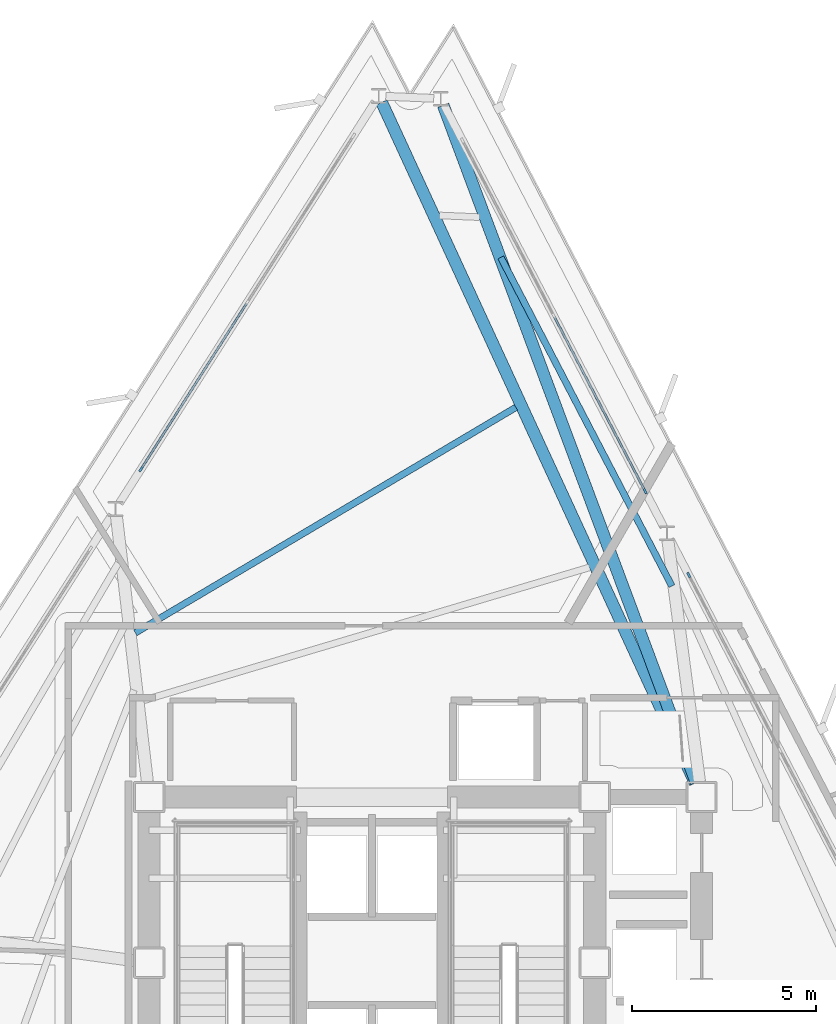
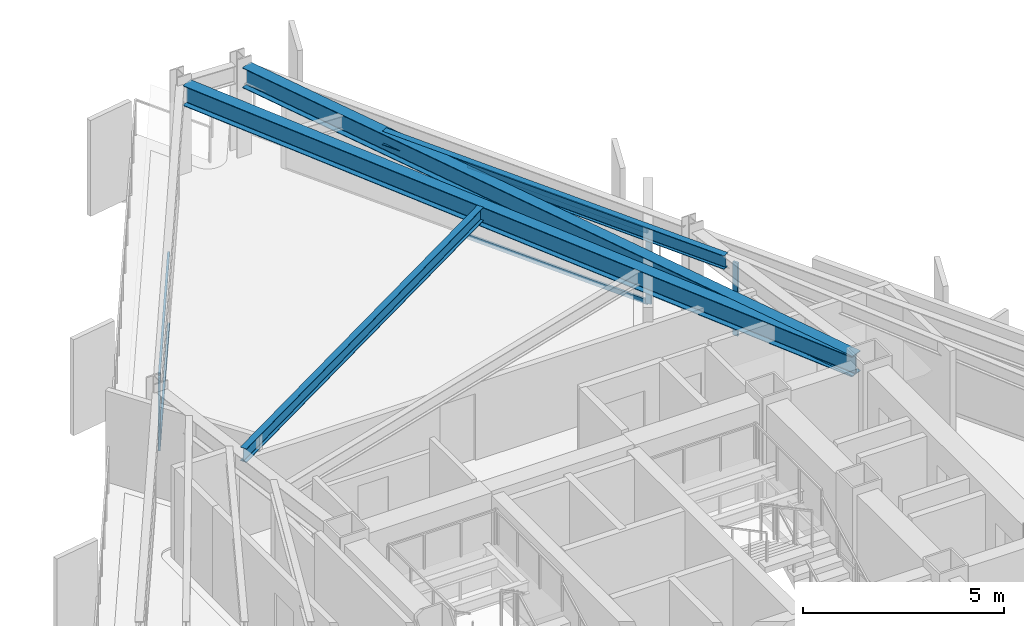
# One storey, part 4 of 12: 7 members, 4 beams, 3 elements without a shape of their own.
"""IFC4 building model written with IfcOpenShell, lengths in metres."""

from ifc_helpers import new_model, si_unit, direction, frame, origin, origin_2d, place, context, subcontext, project, spatial, rectangle, i_section, extrude, material, layer, layer_set, material_profile, profile_set, type_object, element, aggregate, save


model = new_model("IFC4")

# Units and contexts
model_context = context("Model", 3, precision=1e-05, world=origin(), true_north=direction((0.0, 1.0)))
body_context = subcontext(model_context, "Body", "Model", "MODEL_VIEW")
ifc_project = project(units=[si_unit("LENGTHUNIT", "METRE"), si_unit("AREAUNIT", "SQUARE_METRE"), si_unit("VOLUMEUNIT", "CUBIC_METRE"), si_unit("PLANEANGLEUNIT", "RADIAN"), si_unit("MASSUNIT", "GRAM", prefix="KILO")], contexts=[model_context])

# Site, building, storey
site_placement = place(None, origin())
site = spatial("IfcSite", under=ifc_project, at=site_placement, CompositionType="ELEMENT")
building_placement = place(site_placement, origin())
building = spatial("IfcBuilding", under=site, at=building_placement, Name="Rocaltana Carrier Exchange", CompositionType="ELEMENT")
storey_placement = place(building_placement, frame((0.0, 0.0, 138.080078125)))
storey = spatial("IfcBuildingStorey", under=building, at=storey_placement, Name="L43", CompositionType="ELEMENT", Elevation=138.080078125)

# Curtain wall, member
ifc_material_1 = material(Name="Aluminium 6063-T6", Category="aluminium")
ifc_layer = layer(ifc_material_1, 0.14990234375)
ifc_layer_set = layer_set([ifc_layer], Name="Aluminium 6063-T6")
curtain_wall_type = type_object("IfcCurtainWallType", Name="Mid-Tower Unitised Curtain Wall CW-03", PredefinedType="NOTDEFINED", material=ifc_layer_set)
curtain_wall_1_placement = place(storey_placement, origin())
curtain_wall_1 = element("IfcCurtainWall", 1, at=curtain_wall_1_placement, inside=storey, type_object=curtain_wall_type, Name="L43 CW-03 Run CW-L43-F1S2", PredefinedType="NOTDEFINED")
ifc_material_2 = material(Name="Aluminium 6063-T6", Category="aluminium")
ifc_material_profile_1 = material_profile(ifc_material_2, rectangle(XDim=0.06005859375, YDim=0.14990234375, at=origin_2d()), Name="AL-60X150")
ifc_profile_set_1 = profile_set([ifc_material_profile_1], Name="Aluminium 6063-T6")
member_type_1 = type_object("IfcMemberType", Name="CW-03 Mullion AL-60X150", PredefinedType="MULLION", material=ifc_profile_set_1)
member_1_placement = place(storey_placement, frame((8.60009765625, 10.531005859375, 0.0), z_axis=(0.0, 0.0, 1.0), x_axis=(-0.887011747812, -0.461746856235, 0.0)))
member_1 = element("IfcMember", 2, at=member_1_placement, type_object=member_type_1, Name="CW-03 mullion 3", PredefinedType="MULLION", context=body_context, shape_type="SweptSolid", body=[
    extrude(rectangle(XDim=0.06005859375, YDim=0.14990234375, at=origin_2d()), origin(), (0.0, 0.0, 1.0), 2.218017578125),
])
aggregate(curtain_wall_1, [member_1])

curtain_wall_2_placement = place(storey_placement, origin())
curtain_wall_2 = element("IfcCurtainWall", 3, at=curtain_wall_2_placement, inside=storey, type_object=curtain_wall_type, Name="L43 CW-03 Run CW-L43-F1S3", PredefinedType="NOTDEFINED")
member_2_placement = place(storey_placement, frame((7.41796875, 12.8017578125, 0.0), z_axis=(0.0, 0.0, 1.0), x_axis=(-0.887007955385, -0.461754141383, 0.0)))
member_2 = element("IfcMember", 4, at=member_2_placement, type_object=member_type_1, Name="CW-03 mullion 1", PredefinedType="MULLION", context=body_context, shape_type="SweptSolid", body=[
    extrude(rectangle(XDim=0.06005859375, YDim=0.14990234375, at=origin_2d()), origin(), (0.0, 0.0, 1.0), 2.218017578125),
])

curtain_wall_3_placement = place(storey_placement, origin())
curtain_wall_3 = element("IfcCurtainWall", 5, at=curtain_wall_3_placement, inside=storey, type_object=curtain_wall_type, Name="L43 CW-03 Run CW-L43-F2S1", PredefinedType="NOTDEFINED")
member_3_placement = place(storey_placement, frame((-6.27392578125, 13.3994140625, 0.0), z_axis=(0.0, 0.0, 1.0), x_axis=(0.843390685726, -0.537300801443, 0.0)))
member_3 = element("IfcMember", 6, at=member_3_placement, type_object=member_type_1, Name="CW-03 mullion 3", PredefinedType="MULLION", context=body_context, shape_type="SweptSolid", body=[
    extrude(rectangle(XDim=0.06005859375, YDim=0.14990234375, at=origin_2d()), origin(), (0.0, 0.0, 1.0), 2.218017578125),
])

# Member
ifc_material_3 = material(Name="Aluminium 6063-T6", Category="aluminium")
ifc_material_profile_2 = material_profile(ifc_material_3, rectangle(XDim=0.06005859375, YDim=0.14990234375, at=origin_2d()), Name="AL-60X150")
ifc_profile_set_2 = profile_set([ifc_material_profile_2], Name="Aluminium 6063-T6")
member_type_2 = type_object("IfcMemberType", Name="CW-03 Transom AL-60X150", PredefinedType="USERDEFINED", material=ifc_profile_set_2)
member_4_placement = place(storey_placement, frame((7.404052734375, 12.828369140625, 0.030029296875), z_axis=(-0.461756588365, 0.887006681543, 0.0), x_axis=(-0.887006681543, -0.461756588365, 0.0)))
member_4 = element("IfcMember", 7, at=member_4_placement, type_object=member_type_2, Name="CW-03 transom 1.1", ObjectType="TRANSOM", PredefinedType="USERDEFINED", context=body_context, shape_type="SweptSolid", body=[
    extrude(rectangle(XDim=0.06005859375, YDim=0.14990234375, at=origin_2d()), origin(), (0.0, 0.0, 1.0), 5.31005859375),
])

member_5_placement = place(storey_placement, frame((7.404052734375, 12.828369140625, 2.18798828125), z_axis=(-0.461756588365, 0.887006681543, 0.0), x_axis=(-0.887006681543, -0.461756588365, 0.0)))
member_5 = element("IfcMember", 8, at=member_5_placement, type_object=member_type_2, Name="CW-03 transom 1.2", ObjectType="TRANSOM", PredefinedType="USERDEFINED", context=body_context, shape_type="SweptSolid", body=[
    extrude(rectangle(XDim=0.06005859375, YDim=0.14990234375, at=origin_2d()), origin(), (0.0, 0.0, 1.0), 5.31005859375),
])

aggregate(curtain_wall_2, [member_2, member_4, member_5])

member_6_placement = place(storey_placement, frame((-3.40478515625, 17.903076171875, 0.030029296875), z_axis=(-0.537306810176, -0.843386857698, 0.0), x_axis=(0.843386857698, -0.537306810176, 0.0)))
member_6 = element("IfcMember", 9, at=member_6_placement, type_object=member_type_2, Name="CW-03 transom 2.1", ObjectType="TRANSOM", PredefinedType="USERDEFINED", context=body_context, shape_type="SweptSolid", body=[
    extrude(rectangle(XDim=0.06005859375, YDim=0.14990234375, at=origin_2d()), origin(), (0.0, 0.0, 1.0), 5.309814453125),
])

member_7_placement = place(storey_placement, frame((-3.40478515625, 17.903076171875, 2.18798828125), z_axis=(-0.537306810176, -0.843386857698, 0.0), x_axis=(0.843386857698, -0.537306810176, 0.0)))
member_7 = element("IfcMember", 10, at=member_7_placement, type_object=member_type_2, Name="CW-03 transom 2.2", ObjectType="TRANSOM", PredefinedType="USERDEFINED", context=body_context, shape_type="SweptSolid", body=[
    extrude(rectangle(XDim=0.06005859375, YDim=0.14990234375, at=origin_2d()), origin(), (0.0, 0.0, 1.0), 5.309814453125),
])

aggregate(curtain_wall_3, [member_3, member_6, member_7])

# Beams
ifc_material_4 = material(Name="Steel S355", Category="steel")
ifc_material_profile_3 = material_profile(ifc_material_4, i_section(OverallWidth=0.179931640625, OverallDepth=0.4130859375, WebThickness=0.009765625, FlangeThickness=0.01611328125, FilletRadius=0.012939453125, at=origin_2d()), Name="W16X50")
ifc_profile_set_3 = profile_set([ifc_material_profile_3], Name="Steel S355")
beam_type_1 = type_object("IfcBeamType", Name="Floor Joist W16X50", PredefinedType="JOIST", material=ifc_profile_set_3)
beam_1_placement = place(storey_placement, frame((8.14404296875, 10.22802734375, 2.58154296875), z_axis=(-0.461750708655, 0.887009742368, 0.0), x_axis=(-0.887009742368, -0.461750708655, 0.0)))
element("IfcBeam", 11, at=beam_1_placement, inside=storey, type_object=beam_type_1, Name="FJ-L43-03-3", PredefinedType="JOIST", context=body_context, shape_type="SweptSolid", body=[
    extrude(i_section(OverallWidth=0.179931640625, OverallDepth=0.4130859375, WebThickness=0.009765625, FlangeThickness=0.01611328125, FilletRadius=0.012939453125, at=origin_2d()), origin(), (0.0, 0.0, 1.0), 10.062255859375),
])
beam_2_placement = place(storey_placement, frame((3.906982421875, 15.081298828125, 2.58154296875), z_axis=(-0.86032256877, -0.509750014876, 0.0), x_axis=(0.509750014876, -0.86032256877, 0.0)))
element("IfcBeam", 12, at=beam_2_placement, inside=storey, type_object=beam_type_1, Name="FJ-L43-05-2", PredefinedType="JOIST", context=body_context, shape_type="SweptSolid", body=[
    extrude(i_section(OverallWidth=0.179931640625, OverallDepth=0.4130859375, WebThickness=0.009765625, FlangeThickness=0.01611328125, FilletRadius=0.012939453125, at=origin_2d()), origin(), (0.0, 0.0, 1.0), 12.010986328125),
])
ifc_material_5 = material(Name="Steel S355", Category="steel")
ifc_material_profile_4 = material_profile(ifc_material_5, i_section(OverallWidth=0.323974609375, OverallDepth=0.611083984375, WebThickness=0.0126953125, FlangeThickness=0.01904296875, FilletRadius=0.01611328125, at=origin_2d()), Name="W24X104")
ifc_profile_set_4 = profile_set([ifc_material_profile_4], Name="Steel S355")
beam_type_2 = type_object("IfcBeamType", Name="Radial Girder W24X104", PredefinedType="BEAM", material=ifc_profile_set_4)
beam_3_placement = place(storey_placement, frame((8.80419921875, 4.890625, 2.482421875), z_axis=(-0.349864023054, 0.936800493901, 0.0), x_axis=(-0.936800493901, -0.349864023054, 0.0)))
element("IfcBeam", 13, at=beam_3_placement, inside=storey, type_object=beam_type_2, Name="RG-L43-04", PredefinedType="BEAM", context=body_context, shape_type="SweptSolid", body=[
    extrude(i_section(OverallWidth=0.323974609375, OverallDepth=0.611083984375, WebThickness=0.0126953125, FlangeThickness=0.01904296875, FilletRadius=0.01611328125, at=origin_2d()), origin(), (0.0, 0.0, 1.0), 19.634521484375),
])
beam_4_placement = place(storey_placement, frame((8.775634765625, 4.87890625, 2.482421875), z_axis=(-0.418251556262, 0.908331236766, 0.0), x_axis=(-0.908331236766, -0.418251556262, 0.0)))
element("IfcBeam", 14, at=beam_4_placement, inside=storey, type_object=beam_type_2, Name="RG-L43-05", PredefinedType="BEAM", context=body_context, shape_type="SweptSolid", body=[
    extrude(i_section(OverallWidth=0.323974609375, OverallDepth=0.611083984375, WebThickness=0.0126953125, FlangeThickness=0.01904296875, FilletRadius=0.01611328125, at=origin_2d()), origin(), (0.0, 0.0, 1.0), 20.349609375),
])

save(model, "model.ifc")
